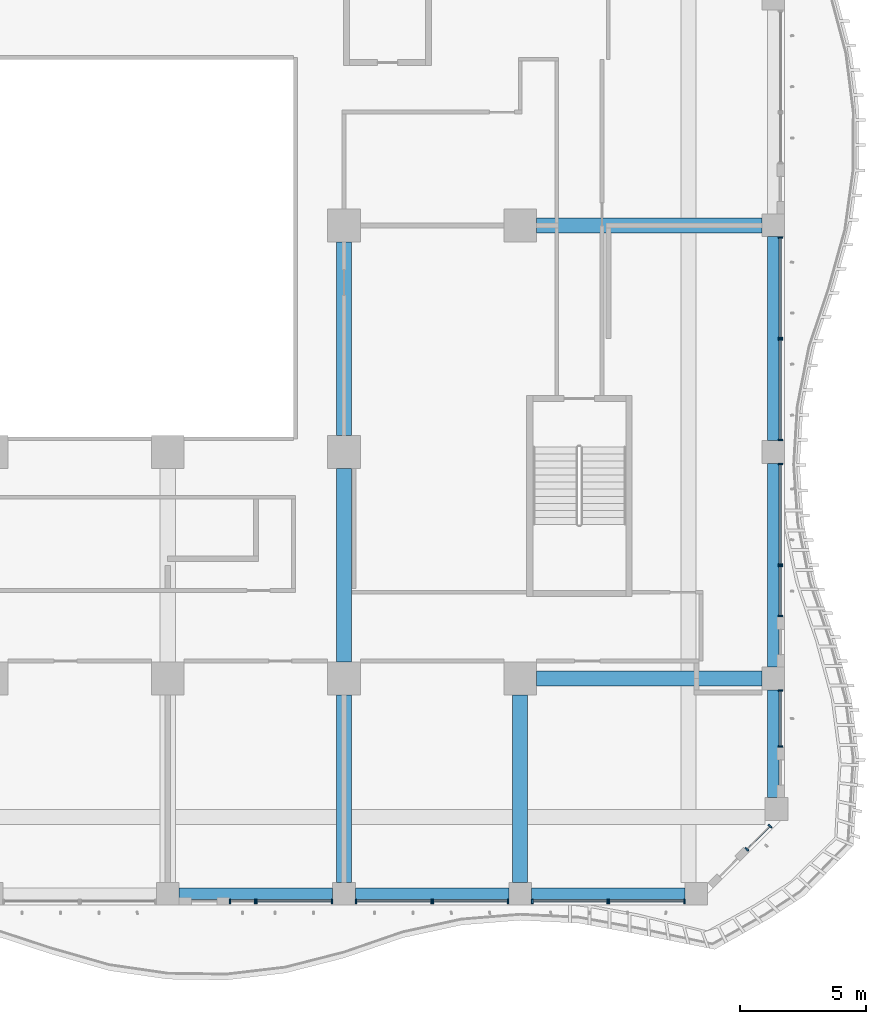
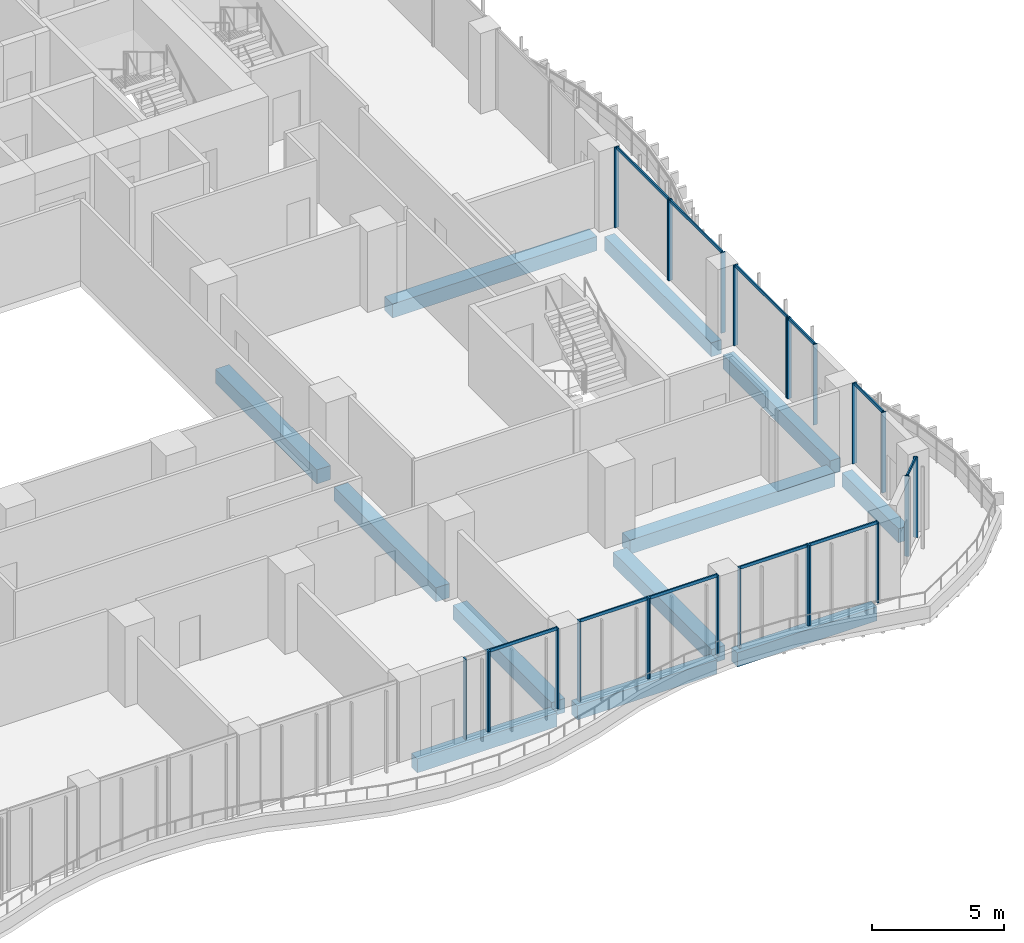
# One storey, part 6 of 27: 35 members, 12 beams, 12 elements without a shape of their own.
"""IFC4 building model written with IfcOpenShell, lengths in metres."""

from ifc_helpers import new_model, si_unit, direction, frame, origin, origin_2d, place, context, subcontext, project, spatial, rectangle, extrude, source, transform, mapped, material, material_profile, profile_set, type_object, element, aggregate, save


model = new_model("IFC4")

# Units and contexts
model_context = context("Model", 3, precision=1e-05, world=origin(), true_north=direction((0.0, 1.0)))
body_context = subcontext(model_context, "Body", "Model", "MODEL_VIEW")
ifc_project = project(units=[si_unit("LENGTHUNIT", "METRE"), si_unit("AREAUNIT", "SQUARE_METRE"), si_unit("VOLUMEUNIT", "CUBIC_METRE"), si_unit("PLANEANGLEUNIT", "RADIAN"), si_unit("MASSUNIT", "GRAM", prefix="KILO")], contexts=[model_context])

# Site, building, storey
site_placement = place(None, origin())
site = spatial("IfcSite", under=ifc_project, at=site_placement, CompositionType="ELEMENT")
building_placement = place(site_placement, origin())
building = spatial("IfcBuilding", under=site, at=building_placement, Name="Kilnfold Tower and Market Hall", CompositionType="ELEMENT")
storey_placement = place(building_placement, frame((0.0, 0.0, 51.0)))
storey = spatial("IfcBuildingStorey", under=building, at=storey_placement, Name="L11", CompositionType="ELEMENT", Elevation=51.0)

# Beams
ifc_material_1 = material(Name="Concrete C45", Category="concrete")
ifc_material_profile_1 = material_profile(ifc_material_1, rectangle(XDim=0.449951171875, YDim=0.64990234375, at=origin_2d()), Name="RC 450x650")
ifc_profile_set_1 = profile_set([ifc_material_profile_1], Name="Concrete C45")
beam_type_1 = type_object("IfcBeamType", Name="EDGE BEAM 450X650 C45", PredefinedType="BEAM", material=ifc_profile_set_1)
shared_shape_1 = source(origin(), body_context, "Body", "SweptSolid", [
    extrude(rectangle(XDim=0.449951171875, YDim=0.64990234375, at=origin_2d()), origin(), (0.0, 0.0, 1.0), 6.10009765625),
])
for number, where, z_axis, x_axis, name in (
    (1, (3.949951171875, -27.550048828125, -0.60498046875), (1.0, 0.0, 0.0), (0.0, 1.0, 0.0), "Beam EB650-B1.4"),
    (2, (10.949951171875, -27.550048828125, -0.60498046875), (1.0, 0.0, 0.0), (0.0, 1.0, 0.0), "Beam EB650-B1.5"),
    (3, (17.949951171875, -27.550048828125, -0.60498046875), (1.0, 0.0, 0.0), (0.0, 1.0, 0.0), "Beam EB650-B1.6"),
):
    element("IfcBeam", number, at=place(storey_placement, frame(where, z_axis=z_axis, x_axis=x_axis)), inside=storey, type_object=beam_type_1, Name=name, PredefinedType="BEAM", context=body_context, shape_type="MappedRepresentation", body=[
        mapped(shared_shape_1, transform((0.0, 0.0, 0.0))),
    ])
ifc_material_2 = material(Name="Concrete C45", Category="concrete")
ifc_material_profile_2 = material_profile(ifc_material_2, rectangle(XDim=0.60009765625, YDim=0.64990234375, at=origin_2d()), Name="RC 600x650")
ifc_profile_set_2 = profile_set([ifc_material_profile_2], Name="Concrete C45")
beam_type_2 = type_object("IfcBeamType", Name="BEAM 600X650 C45", PredefinedType="BEAM", material=ifc_profile_set_2)
shared_shape_2 = source(origin(), body_context, "Body", "SweptSolid", [
    extrude(rectangle(XDim=0.60009765625, YDim=0.64990234375, at=origin_2d()), origin(), (0.0, 0.0, 1.0), 8.9501953125),
])
for number, where, z_axis, x_axis, name in (
    (4, (18.14990234375, -19.0, -0.60498046875), (1.0, 0.0, 0.0), (0.0, 1.0, 0.0), "Beam BB650-B1.12"),
    (5, (18.14990234375, -1.0, -0.60498046875), (1.0, 0.0, 0.0), (0.0, 1.0, 0.0), "Beam BB650-B1.20"),
):
    element("IfcBeam", number, at=place(storey_placement, frame(where, z_axis=z_axis, x_axis=x_axis)), inside=storey, type_object=beam_type_2, Name=name, PredefinedType="BEAM", context=body_context, shape_type="MappedRepresentation", body=[
        mapped(shared_shape_2, transform((0.0, 0.0, 0.0))),
    ])
shared_shape_3 = source(origin(), body_context, "Body", "SweptSolid", [
    extrude(rectangle(XDim=0.449951171875, YDim=0.64990234375, at=origin_2d()), origin(), (0.0, 0.0, 1.0), 8.10009765625),
])
for number, where, z_axis, x_axis, name in (
    (6, (27.550048828125, -18.550048828125, -0.60498046875), (0.0, 1.0, 0.0), (-1.0, 0.0, 0.0), "Beam EB650-B1.52"),
    (7, (27.550048828125, -9.550048828125, -0.60498046875), (0.0, 1.0, 0.0), (-1.0, 0.0, 0.0), "Beam EB650-B1.58"),
):
    element("IfcBeam", number, at=place(storey_placement, frame(where, z_axis=z_axis, x_axis=x_axis)), inside=storey, type_object=beam_type_1, Name=name, PredefinedType="BEAM", context=body_context, shape_type="MappedRepresentation", body=[
        mapped(shared_shape_3, transform((0.0, 0.0, 0.0))),
    ])
shared_shape_4 = source(origin(), body_context, "Body", "SweptSolid", [
    extrude(rectangle(XDim=0.60009765625, YDim=0.64990234375, at=origin_2d()), origin(), (0.0, 0.0, 1.0), 7.4501953125),
])
for number, where, z_axis, x_axis, name in (
    (8, (10.5, -27.10009765625, -0.60498046875), (0.0, 1.0, 0.0), (-1.0, 0.0, 0.0), "Beam BB650-B1.47"),
    (9, (17.5, -27.10009765625, -0.60498046875), (0.0, 1.0, 0.0), (-1.0, 0.0, 0.0), "Beam BB650-B1.50"),
):
    element("IfcBeam", number, at=place(storey_placement, frame(where, z_axis=z_axis, x_axis=x_axis)), inside=storey, type_object=beam_type_2, Name=name, PredefinedType="BEAM", context=body_context, shape_type="MappedRepresentation", body=[
        mapped(shared_shape_4, transform((0.0, 0.0, 0.0))),
    ])
shared_shape_5 = source(origin(), body_context, "Body", "SweptSolid", [
    extrude(rectangle(XDim=0.60009765625, YDim=0.64990234375, at=origin_2d()), origin(), (0.0, 0.0, 1.0), 7.7001953125),
])
for number, where, z_axis, x_axis, name in (
    (10, (10.5, -18.35009765625, -0.60498046875), (0.0, 1.0, 0.0), (-1.0, 0.0, 0.0), "Beam BB650-B1.48"),
    (11, (10.5, -9.35009765625, -0.60498046875), (0.0, 1.0, 0.0), (-1.0, 0.0, 0.0), "Beam BB650-B1.49"),
):
    element("IfcBeam", number, at=place(storey_placement, frame(where, z_axis=z_axis, x_axis=x_axis)), inside=storey, type_object=beam_type_2, Name=name, PredefinedType="BEAM", context=body_context, shape_type="MappedRepresentation", body=[
        mapped(shared_shape_5, transform((0.0, 0.0, 0.0))),
    ])
shared_shape_6 = source(origin(), body_context, "Body", "SweptSolid", [
    extrude(rectangle(XDim=0.449951171875, YDim=0.64990234375, at=origin_2d()), origin(), (0.0, 0.0, 1.0), 4.28173828125),
])
beam_placement = place(storey_placement, frame((27.550048828125, -23.731689453125, -0.60498046875), z_axis=(0.0, 1.0, 0.0), x_axis=(-1.0, 0.0, 0.0)))
element("IfcBeam", 12, at=beam_placement, inside=storey, type_object=beam_type_1, Name="Beam EB650-B1.51", PredefinedType="BEAM", context=body_context, shape_type="MappedRepresentation", body=[
    mapped(shared_shape_6, transform((0.0, 0.0, 0.0))),
])

# Curtain wall, members
ifc_material_3 = material(Name="Aluminium and double glazing", Category="aluminium")
curtain_wall_type = type_object("IfcCurtainWallType", Name="CW OF1 VALLEY GLAZING", PredefinedType="NOTDEFINED", material=ifc_material_3)
curtain_wall_1_placement = place(storey_placement, origin())
curtain_wall_1 = element("IfcCurtainWall", 13, at=curtain_wall_1_placement, inside=storey, type_object=curtain_wall_type, Name="Curtain wall CW1 L11 S", PredefinedType="NOTDEFINED")
ifc_material_4 = material(Name="Aluminium", Category="aluminium")
ifc_material_profile_3 = material_profile(ifc_material_4, rectangle(XDim=0.06005859375, YDim=0.179931640625, at=origin_2d()), Name="MULLION 60x180")
ifc_profile_set_3 = profile_set([ifc_material_profile_3], Name="Aluminium")
member_type_1 = type_object("IfcMemberType", Name="MULLION 60X180", PredefinedType="MULLION", material=ifc_profile_set_3)
shared_shape_7 = source(origin(), body_context, "Body", "SweptSolid", [
    extrude(rectangle(XDim=0.06005859375, YDim=0.179931640625, at=origin_2d()), origin(), (0.0, 0.0, 1.0), 3.719970703125),
])
member_1_placement = place(storey_placement, frame((5.97998046875, -27.85009765625, 0.0), z_axis=(0.0, 0.0, 1.0), x_axis=(1.0, 0.0, 0.0)))
member_1 = element("IfcMember", 14, at=member_1_placement, type_object=member_type_1, Name="CW1 mullion 1", PredefinedType="MULLION", context=body_context, shape_type="MappedRepresentation", body=[
    mapped(shared_shape_7, transform((0.0, 0.0, 0.0))),
])
member_2_placement = place(storey_placement, frame((6.969970703125, -27.85009765625, 0.0), z_axis=(0.0, 0.0, 1.0), x_axis=(1.0, 0.0, 0.0)))
member_2 = element("IfcMember", 15, at=member_2_placement, type_object=member_type_1, Name="CW1 mullion 2", PredefinedType="MULLION", context=body_context, shape_type="MappedRepresentation", body=[
    mapped(shared_shape_7, transform((0.0, 0.0, 0.0))),
])
aggregate(curtain_wall_1, [member_1, member_2])

curtain_wall_2_placement = place(storey_placement, origin())
curtain_wall_2 = element("IfcCurtainWall", 16, at=curtain_wall_2_placement, inside=storey, type_object=curtain_wall_type, Name="Curtain wall CW1 L11 S", PredefinedType="NOTDEFINED")
member_3_placement = place(storey_placement, frame((7.030029296875, -27.85009765625, 0.0), z_axis=(0.0, 0.0, 1.0), x_axis=(1.0, 0.0, 0.0)))
member_3 = element("IfcMember", 17, at=member_3_placement, type_object=member_type_1, Name="CW1 mullion 1", PredefinedType="MULLION", context=body_context, shape_type="MappedRepresentation", body=[
    mapped(shared_shape_7, transform((0.0, 0.0, 0.0))),
])
member_4_placement = place(storey_placement, frame((10.02001953125, -27.85009765625, 0.0), z_axis=(0.0, 0.0, 1.0), x_axis=(1.0, 0.0, 0.0)))
member_4 = element("IfcMember", 18, at=member_4_placement, type_object=member_type_1, Name="CW1 mullion 2", PredefinedType="MULLION", context=body_context, shape_type="MappedRepresentation", body=[
    mapped(shared_shape_7, transform((0.0, 0.0, 0.0))),
])

curtain_wall_3_placement = place(storey_placement, origin())
curtain_wall_3 = element("IfcCurtainWall", 19, at=curtain_wall_3_placement, inside=storey, type_object=curtain_wall_type, Name="Curtain wall CW1 L11 S", PredefinedType="NOTDEFINED")
member_5_placement = place(storey_placement, frame((10.97998046875, -27.85009765625, 0.0), z_axis=(0.0, 0.0, 1.0), x_axis=(1.0, 0.0, 0.0)))
member_5 = element("IfcMember", 20, at=member_5_placement, type_object=member_type_1, Name="CW1 mullion 1", PredefinedType="MULLION", context=body_context, shape_type="MappedRepresentation", body=[
    mapped(shared_shape_7, transform((0.0, 0.0, 0.0))),
])
member_6_placement = place(storey_placement, frame((13.969970703125, -27.85009765625, 0.0), z_axis=(0.0, 0.0, 1.0), x_axis=(1.0, 0.0, 0.0)))
member_6 = element("IfcMember", 21, at=member_6_placement, type_object=member_type_1, Name="CW1 mullion 2", PredefinedType="MULLION", context=body_context, shape_type="MappedRepresentation", body=[
    mapped(shared_shape_7, transform((0.0, 0.0, 0.0))),
])

curtain_wall_4_placement = place(storey_placement, origin())
curtain_wall_4 = element("IfcCurtainWall", 22, at=curtain_wall_4_placement, inside=storey, type_object=curtain_wall_type, Name="Curtain wall CW1 L11 S", PredefinedType="NOTDEFINED")
member_7_placement = place(storey_placement, frame((14.030029296875, -27.85009765625, 0.0), z_axis=(0.0, 0.0, 1.0), x_axis=(1.0, 0.0, 0.0)))
member_7 = element("IfcMember", 23, at=member_7_placement, type_object=member_type_1, Name="CW1 mullion 1", PredefinedType="MULLION", context=body_context, shape_type="MappedRepresentation", body=[
    mapped(shared_shape_7, transform((0.0, 0.0, 0.0))),
])
member_8_placement = place(storey_placement, frame((17.02001953125, -27.85009765625, 0.0), z_axis=(0.0, 0.0, 1.0), x_axis=(1.0, 0.0, 0.0)))
member_8 = element("IfcMember", 24, at=member_8_placement, type_object=member_type_1, Name="CW1 mullion 2", PredefinedType="MULLION", context=body_context, shape_type="MappedRepresentation", body=[
    mapped(shared_shape_7, transform((0.0, 0.0, 0.0))),
])

curtain_wall_5_placement = place(storey_placement, origin())
curtain_wall_5 = element("IfcCurtainWall", 25, at=curtain_wall_5_placement, inside=storey, type_object=curtain_wall_type, Name="Curtain wall CW1 L11 S", PredefinedType="NOTDEFINED")
member_9_placement = place(storey_placement, frame((17.97998046875, -27.85009765625, 0.0), z_axis=(0.0, 0.0, 1.0), x_axis=(1.0, 0.0, 0.0)))
member_9 = element("IfcMember", 26, at=member_9_placement, type_object=member_type_1, Name="CW1 mullion 1", PredefinedType="MULLION", context=body_context, shape_type="MappedRepresentation", body=[
    mapped(shared_shape_7, transform((0.0, 0.0, 0.0))),
])
member_10_placement = place(storey_placement, frame((20.969970703125, -27.85009765625, 0.0), z_axis=(0.0, 0.0, 1.0), x_axis=(1.0, 0.0, 0.0)))
member_10 = element("IfcMember", 27, at=member_10_placement, type_object=member_type_1, Name="CW1 mullion 2", PredefinedType="MULLION", context=body_context, shape_type="MappedRepresentation", body=[
    mapped(shared_shape_7, transform((0.0, 0.0, 0.0))),
])

curtain_wall_6_placement = place(storey_placement, origin())
curtain_wall_6 = element("IfcCurtainWall", 28, at=curtain_wall_6_placement, inside=storey, type_object=curtain_wall_type, Name="Curtain wall CW1 L11 S", PredefinedType="NOTDEFINED")
member_11_placement = place(storey_placement, frame((21.030029296875, -27.85009765625, 0.0), z_axis=(0.0, 0.0, 1.0), x_axis=(1.0, 0.0, 0.0)))
member_11 = element("IfcMember", 29, at=member_11_placement, type_object=member_type_1, Name="CW1 mullion 1", PredefinedType="MULLION", context=body_context, shape_type="MappedRepresentation", body=[
    mapped(shared_shape_7, transform((0.0, 0.0, 0.0))),
])
member_12_placement = place(storey_placement, frame((24.02001953125, -27.85009765625, 0.0), z_axis=(0.0, 0.0, 1.0), x_axis=(1.0, 0.0, 0.0)))
member_12 = element("IfcMember", 30, at=member_12_placement, type_object=member_type_1, Name="CW1 mullion 2", PredefinedType="MULLION", context=body_context, shape_type="MappedRepresentation", body=[
    mapped(shared_shape_7, transform((0.0, 0.0, 0.0))),
])

curtain_wall_7_placement = place(storey_placement, origin())
curtain_wall_7 = element("IfcCurtainWall", 31, at=curtain_wall_7_placement, inside=storey, type_object=curtain_wall_type, Name="Curtain wall CW1 L11 SE", PredefinedType="NOTDEFINED")
member_13_placement = place(storey_placement, frame((26.50439453125, -25.783447265625, 0.0), z_axis=(0.0, 0.0, 1.0), x_axis=(0.707106781187, 0.707106781187, 0.0)))
member_13 = element("IfcMember", 32, at=member_13_placement, type_object=member_type_1, Name="CW1 mullion 1", PredefinedType="MULLION", context=body_context, shape_type="MappedRepresentation", body=[
    mapped(shared_shape_7, transform((0.0, 0.0, 0.0))),
])
member_14_placement = place(storey_placement, frame((27.4228515625, -24.865234375, 0.0), z_axis=(0.0, 0.0, 1.0), x_axis=(0.707106781187, 0.707106781187, 0.0)))
member_14 = element("IfcMember", 33, at=member_14_placement, type_object=member_type_1, Name="CW1 mullion 2", PredefinedType="MULLION", context=body_context, shape_type="MappedRepresentation", body=[
    mapped(shared_shape_7, transform((0.0, 0.0, 0.0))),
])

curtain_wall_8_placement = place(storey_placement, origin())
curtain_wall_8 = element("IfcCurtainWall", 34, at=curtain_wall_8_placement, inside=storey, type_object=curtain_wall_type, Name="Curtain wall CW1 L11 E", PredefinedType="NOTDEFINED")
member_15_placement = place(storey_placement, frame((27.85009765625, -21.701904296875, 0.0), z_axis=(0.0, 0.0, 1.0), x_axis=(0.0, 1.0, 0.0)))
member_15 = element("IfcMember", 35, at=member_15_placement, type_object=member_type_1, Name="CW1 mullion 1", PredefinedType="MULLION", context=body_context, shape_type="MappedRepresentation", body=[
    mapped(shared_shape_7, transform((0.0, 0.0, 0.0))),
])
member_16_placement = place(storey_placement, frame((27.85009765625, -19.47998046875, 0.0), z_axis=(0.0, 0.0, 1.0), x_axis=(0.0, 1.0, 0.0)))
member_16 = element("IfcMember", 36, at=member_16_placement, type_object=member_type_1, Name="CW1 mullion 2", PredefinedType="MULLION", context=body_context, shape_type="MappedRepresentation", body=[
    mapped(shared_shape_7, transform((0.0, 0.0, 0.0))),
])

curtain_wall_9_placement = place(storey_placement, origin())
curtain_wall_9 = element("IfcCurtainWall", 37, at=curtain_wall_9_placement, inside=storey, type_object=curtain_wall_type, Name="Curtain wall CW1 L11 E", PredefinedType="NOTDEFINED")
member_17_placement = place(storey_placement, frame((27.85009765625, -16.52001953125, 0.0), z_axis=(0.0, 0.0, 1.0), x_axis=(0.0, 1.0, 0.0)))
member_17 = element("IfcMember", 38, at=member_17_placement, type_object=member_type_1, Name="CW1 mullion 1", PredefinedType="MULLION", context=body_context, shape_type="MappedRepresentation", body=[
    mapped(shared_shape_7, transform((0.0, 0.0, 0.0))),
])
member_18_placement = place(storey_placement, frame((27.85009765625, -14.530029296875, 0.0), z_axis=(0.0, 0.0, 1.0), x_axis=(0.0, 1.0, 0.0)))
member_18 = element("IfcMember", 39, at=member_18_placement, type_object=member_type_1, Name="CW1 mullion 2", PredefinedType="MULLION", context=body_context, shape_type="MappedRepresentation", body=[
    mapped(shared_shape_7, transform((0.0, 0.0, 0.0))),
])

curtain_wall_10_placement = place(storey_placement, origin())
curtain_wall_10 = element("IfcCurtainWall", 40, at=curtain_wall_10_placement, inside=storey, type_object=curtain_wall_type, Name="Curtain wall CW1 L11 E", PredefinedType="NOTDEFINED")
member_19_placement = place(storey_placement, frame((27.85009765625, -14.469970703125, 0.0), z_axis=(0.0, 0.0, 1.0), x_axis=(0.0, 1.0, 0.0)))
member_19 = element("IfcMember", 41, at=member_19_placement, type_object=member_type_1, Name="CW1 mullion 1", PredefinedType="MULLION", context=body_context, shape_type="MappedRepresentation", body=[
    mapped(shared_shape_7, transform((0.0, 0.0, 0.0))),
])
member_20_placement = place(storey_placement, frame((27.85009765625, -10.47998046875, 0.0), z_axis=(0.0, 0.0, 1.0), x_axis=(0.0, 1.0, 0.0)))
member_20 = element("IfcMember", 42, at=member_20_placement, type_object=member_type_1, Name="CW1 mullion 2", PredefinedType="MULLION", context=body_context, shape_type="MappedRepresentation", body=[
    mapped(shared_shape_7, transform((0.0, 0.0, 0.0))),
])

curtain_wall_11_placement = place(storey_placement, origin())
curtain_wall_11 = element("IfcCurtainWall", 43, at=curtain_wall_11_placement, inside=storey, type_object=curtain_wall_type, Name="Curtain wall CW1 L11 E", PredefinedType="NOTDEFINED")
member_21_placement = place(storey_placement, frame((27.85009765625, -9.52001953125, 0.0), z_axis=(0.0, 0.0, 1.0), x_axis=(0.0, 1.0, 0.0)))
member_21 = element("IfcMember", 44, at=member_21_placement, type_object=member_type_1, Name="CW1 mullion 1", PredefinedType="MULLION", context=body_context, shape_type="MappedRepresentation", body=[
    mapped(shared_shape_7, transform((0.0, 0.0, 0.0))),
])
member_22_placement = place(storey_placement, frame((27.85009765625, -5.530029296875, 0.0), z_axis=(0.0, 0.0, 1.0), x_axis=(0.0, 1.0, 0.0)))
member_22 = element("IfcMember", 45, at=member_22_placement, type_object=member_type_1, Name="CW1 mullion 2", PredefinedType="MULLION", context=body_context, shape_type="MappedRepresentation", body=[
    mapped(shared_shape_7, transform((0.0, 0.0, 0.0))),
])

curtain_wall_12_placement = place(storey_placement, origin())
curtain_wall_12 = element("IfcCurtainWall", 46, at=curtain_wall_12_placement, inside=storey, type_object=curtain_wall_type, Name="Curtain wall CW1 L11 E", PredefinedType="NOTDEFINED")
member_23_placement = place(storey_placement, frame((27.85009765625, -5.469970703125, 0.0), z_axis=(0.0, 0.0, 1.0), x_axis=(0.0, 1.0, 0.0)))
member_23 = element("IfcMember", 47, at=member_23_placement, type_object=member_type_1, Name="CW1 mullion 1", PredefinedType="MULLION", context=body_context, shape_type="MappedRepresentation", body=[
    mapped(shared_shape_7, transform((0.0, 0.0, 0.0))),
])
member_24_placement = place(storey_placement, frame((27.85009765625, -1.47998046875, 0.0), z_axis=(0.0, 0.0, 1.0), x_axis=(0.0, 1.0, 0.0)))
member_24 = element("IfcMember", 48, at=member_24_placement, type_object=member_type_1, Name="CW1 mullion 2", PredefinedType="MULLION", context=body_context, shape_type="MappedRepresentation", body=[
    mapped(shared_shape_7, transform((0.0, 0.0, 0.0))),
])

# Member
ifc_material_5 = material(Name="Aluminium", Category="aluminium")
ifc_material_profile_4 = material_profile(ifc_material_5, rectangle(XDim=0.06005859375, YDim=0.139892578125, at=origin_2d()), Name="TRANSOM 60x140")
ifc_profile_set_4 = profile_set([ifc_material_profile_4], Name="Aluminium")
member_type_2 = type_object("IfcMemberType", Name="TRANSOM 60X140", PredefinedType="USERDEFINED", material=ifc_profile_set_4)
shared_shape_8 = source(origin(), body_context, "Body", "SweptSolid", [
    extrude(rectangle(XDim=0.06005859375, YDim=0.139892578125, at=origin_2d()), origin(), (0.0, 0.0, 1.0), 2.929931640625),
])
member_25_placement = place(storey_placement, frame((7.06005859375, -27.85009765625, 3.68994140625), z_axis=(1.0, 0.0, 0.0), x_axis=(0.0, 1.0, 0.0)))
member_25 = element("IfcMember", 49, at=member_25_placement, type_object=member_type_2, Name="CW1 transom 1.2", ObjectType="TRANSOM", PredefinedType="USERDEFINED", context=body_context, shape_type="MappedRepresentation", body=[
    mapped(shared_shape_8, transform((0.0, 0.0, 0.0))),
])

aggregate(curtain_wall_2, [member_3, member_4, member_25])

member_26_placement = place(storey_placement, frame((11.010009765625, -27.85009765625, 3.68994140625), z_axis=(1.0, 0.0, 0.0), x_axis=(0.0, 1.0, 0.0)))
member_26 = element("IfcMember", 50, at=member_26_placement, type_object=member_type_2, Name="CW1 transom 1.2", ObjectType="TRANSOM", PredefinedType="USERDEFINED", context=body_context, shape_type="MappedRepresentation", body=[
    mapped(shared_shape_8, transform((0.0, 0.0, 0.0))),
])

aggregate(curtain_wall_3, [member_5, member_6, member_26])

member_27_placement = place(storey_placement, frame((14.06005859375, -27.85009765625, 3.68994140625), z_axis=(1.0, 0.0, 0.0), x_axis=(0.0, 1.0, 0.0)))
member_27 = element("IfcMember", 51, at=member_27_placement, type_object=member_type_2, Name="CW1 transom 1.2", ObjectType="TRANSOM", PredefinedType="USERDEFINED", context=body_context, shape_type="MappedRepresentation", body=[
    mapped(shared_shape_8, transform((0.0, 0.0, 0.0))),
])

aggregate(curtain_wall_4, [member_7, member_8, member_27])

member_28_placement = place(storey_placement, frame((18.010009765625, -27.85009765625, 3.68994140625), z_axis=(1.0, 0.0, 0.0), x_axis=(0.0, 1.0, 0.0)))
member_28 = element("IfcMember", 52, at=member_28_placement, type_object=member_type_2, Name="CW1 transom 1.2", ObjectType="TRANSOM", PredefinedType="USERDEFINED", context=body_context, shape_type="MappedRepresentation", body=[
    mapped(shared_shape_8, transform((0.0, 0.0, 0.0))),
])

aggregate(curtain_wall_5, [member_9, member_10, member_28])

member_29_placement = place(storey_placement, frame((21.06005859375, -27.85009765625, 3.68994140625), z_axis=(1.0, 0.0, 0.0), x_axis=(0.0, 1.0, 0.0)))
member_29 = element("IfcMember", 53, at=member_29_placement, type_object=member_type_2, Name="CW1 transom 1.2", ObjectType="TRANSOM", PredefinedType="USERDEFINED", context=body_context, shape_type="MappedRepresentation", body=[
    mapped(shared_shape_8, transform((0.0, 0.0, 0.0))),
])

aggregate(curtain_wall_6, [member_11, member_12, member_29])

shared_shape_9 = source(origin(), body_context, "Body", "SweptSolid", [
    extrude(rectangle(XDim=0.06005859375, YDim=0.139892578125, at=origin_2d()), origin(), (0.0, 0.0, 1.0), 1.23876953125),
])
member_30_placement = place(storey_placement, frame((26.525634765625, -25.76220703125, 3.68994140625), z_axis=(0.707106781187, 0.707106781187, 0.0), x_axis=(-0.707106781187, 0.707106781187, 0.0)))
member_30 = element("IfcMember", 54, at=member_30_placement, type_object=member_type_2, Name="CW1 transom 1.2", ObjectType="TRANSOM", PredefinedType="USERDEFINED", context=body_context, shape_type="MappedRepresentation", body=[
    mapped(shared_shape_9, transform((0.0, 0.0, 0.0))),
])

aggregate(curtain_wall_7, [member_13, member_14, member_30])

shared_shape_10 = source(origin(), body_context, "Body", "SweptSolid", [
    extrude(rectangle(XDim=0.06005859375, YDim=0.139892578125, at=origin_2d()), origin(), (0.0, 0.0, 1.0), 2.161865234375),
])
member_31_placement = place(storey_placement, frame((27.85009765625, -21.671875, 3.68994140625), z_axis=(0.0, 1.0, 0.0), x_axis=(-1.0, 0.0, 0.0)))
member_31 = element("IfcMember", 55, at=member_31_placement, type_object=member_type_2, Name="CW1 transom 1.2", ObjectType="TRANSOM", PredefinedType="USERDEFINED", context=body_context, shape_type="MappedRepresentation", body=[
    mapped(shared_shape_10, transform((0.0, 0.0, 0.0))),
])

aggregate(curtain_wall_8, [member_15, member_16, member_31])

shared_shape_11 = source(origin(), body_context, "Body", "SweptSolid", [
    extrude(rectangle(XDim=0.06005859375, YDim=0.139892578125, at=origin_2d()), origin(), (0.0, 0.0, 1.0), 3.929931640625),
])
member_32_placement = place(storey_placement, frame((27.85009765625, -14.43994140625, 3.68994140625), z_axis=(0.0, 1.0, 0.0), x_axis=(-1.0, 0.0, 0.0)))
member_32 = element("IfcMember", 56, at=member_32_placement, type_object=member_type_2, Name="CW1 transom 1.2", ObjectType="TRANSOM", PredefinedType="USERDEFINED", context=body_context, shape_type="MappedRepresentation", body=[
    mapped(shared_shape_11, transform((0.0, 0.0, 0.0))),
])

aggregate(curtain_wall_10, [member_19, member_20, member_32])

member_33_placement = place(storey_placement, frame((27.85009765625, -9.489990234375, 3.68994140625), z_axis=(0.0, 1.0, 0.0), x_axis=(-1.0, 0.0, 0.0)))
member_33 = element("IfcMember", 57, at=member_33_placement, type_object=member_type_2, Name="CW1 transom 1.2", ObjectType="TRANSOM", PredefinedType="USERDEFINED", context=body_context, shape_type="MappedRepresentation", body=[
    mapped(shared_shape_11, transform((0.0, 0.0, 0.0))),
])

aggregate(curtain_wall_11, [member_21, member_22, member_33])

member_34_placement = place(storey_placement, frame((27.85009765625, -5.43994140625, 3.68994140625), z_axis=(0.0, 1.0, 0.0), x_axis=(-1.0, 0.0, 0.0)))
member_34 = element("IfcMember", 58, at=member_34_placement, type_object=member_type_2, Name="CW1 transom 1.2", ObjectType="TRANSOM", PredefinedType="USERDEFINED", context=body_context, shape_type="MappedRepresentation", body=[
    mapped(shared_shape_11, transform((0.0, 0.0, 0.0))),
])

aggregate(curtain_wall_12, [member_23, member_24, member_34])

shared_shape_12 = source(origin(), body_context, "Body", "SweptSolid", [
    extrude(rectangle(XDim=0.06005859375, YDim=0.139892578125, at=origin_2d()), origin(), (0.0, 0.0, 1.0), 1.929931640625),
])
member_35_placement = place(storey_placement, frame((27.85009765625, -16.489990234375, 3.68994140625), z_axis=(0.0, 1.0, 0.0), x_axis=(-1.0, 0.0, 0.0)))
member_35 = element("IfcMember", 59, at=member_35_placement, type_object=member_type_2, Name="CW1 transom 1.2", ObjectType="TRANSOM", PredefinedType="USERDEFINED", context=body_context, shape_type="MappedRepresentation", body=[
    mapped(shared_shape_12, transform((0.0, 0.0, 0.0))),
])

aggregate(curtain_wall_9, [member_17, member_18, member_35])

save(model, "model.ifc")
